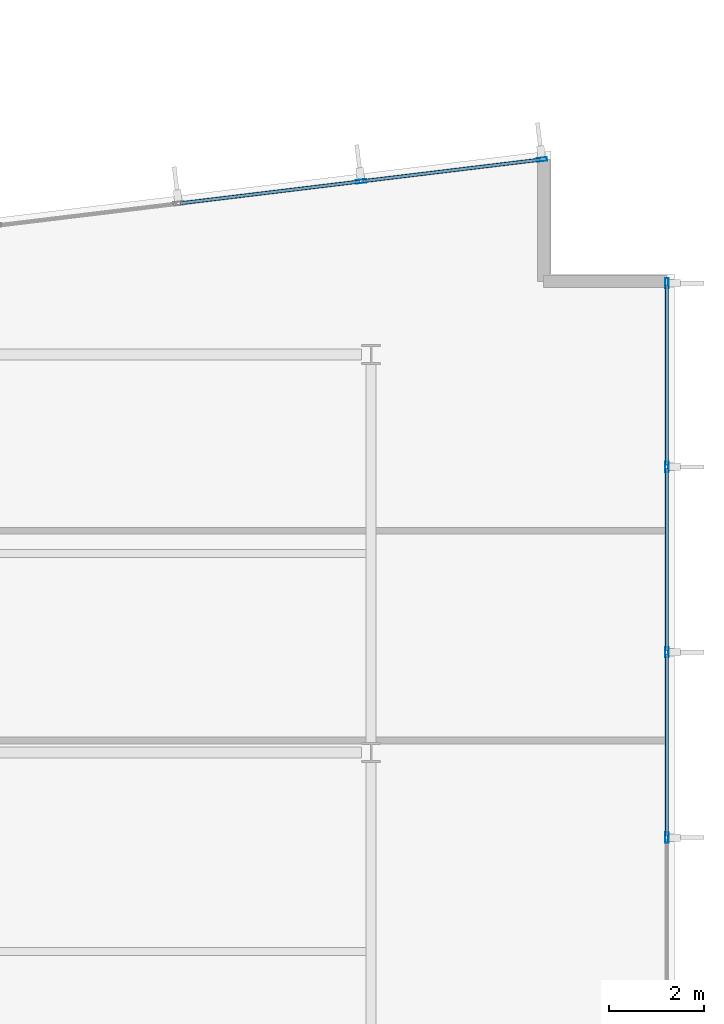
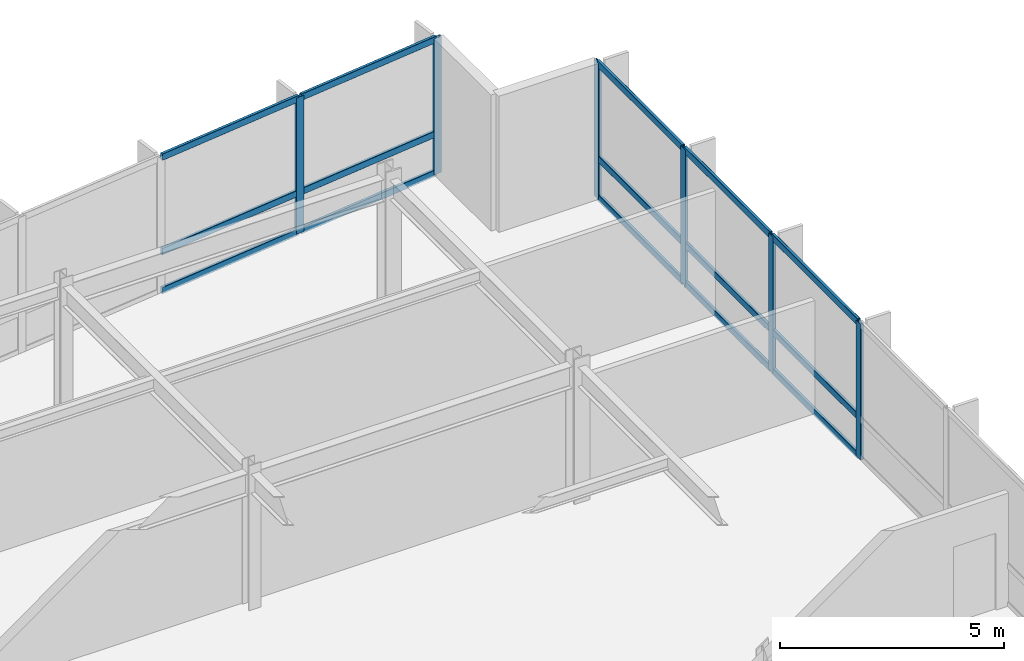
# One storey, part 8 of 17: 21 members, 2 elements without a shape of their own.
"""IFC4 building model written with IfcOpenShell, lengths in metres."""

from ifc_helpers import new_model, si_unit, direction, frame, origin, origin_2d, place, context, subcontext, project, spatial, hollow_rectangle, extrude, material, layer, layer_set, material_profile, profile_set, type_object, element, aggregate, save


model = new_model("IFC4")

# Units and contexts
model_context = context("Model", 3, precision=1e-05, world=origin(), true_north=direction((0.0, 1.0)))
body_context = subcontext(model_context, "Body", "Model", "MODEL_VIEW")
ifc_project = project(units=[si_unit("LENGTHUNIT", "METRE"), si_unit("AREAUNIT", "SQUARE_METRE"), si_unit("VOLUMEUNIT", "CUBIC_METRE"), si_unit("PLANEANGLEUNIT", "RADIAN"), si_unit("MASSUNIT", "GRAM", prefix="KILO")], contexts=[model_context])

# Site, building, storey
site_placement = place(None, origin())
site = spatial("IfcSite", under=ifc_project, at=site_placement, CompositionType="ELEMENT")
building_placement = place(site_placement, origin())
building = spatial("IfcBuilding", under=site, at=building_placement, Name="Varnakote Quay Hospital", CompositionType="ELEMENT")
storey_placement = place(building_placement, frame((0.0, 0.0, 103.35009765625)))
storey = spatial("IfcBuildingStorey", under=building, at=storey_placement, Name="L25", CompositionType="ELEMENT", Elevation=103.35009765625)

# Curtain wall, members
ifc_material_1 = material(Name="Anodised aluminium 6063-T6 Bronze", Category="aluminium")
ifc_layer = layer(ifc_material_1, 0.205078125)
ifc_layer_set = layer_set([ifc_layer], Name="Anodised aluminium 6063-T6 Bronze")
curtain_wall_type = type_object("IfcCurtainWallType", Name="CW-SYS-3", PredefinedType="NOTDEFINED", material=ifc_layer_set)
curtain_wall_1_placement = place(storey_placement, origin())
curtain_wall_1 = element("IfcCurtainWall", 1, at=curtain_wall_1_placement, inside=storey, type_object=curtain_wall_type, Name="L25 Unitised Bronze Curtain Wall 1", PredefinedType="NOTDEFINED")
ifc_material_2 = material(Name="Anodised aluminium 6063-T6 Bronze", Category="aluminium")
ifc_material_profile_1 = material_profile(ifc_material_2, hollow_rectangle(XDim=0.074951171875, YDim=0.219970703125, WallThickness=0.00439453125, InnerFilletRadius=0.00439453125, OuterFilletRadius=0.009033203125, at=origin_2d()), Name="CW-MULL-220x75")
ifc_profile_set_1 = profile_set([ifc_material_profile_1], Name="Anodised aluminium 6063-T6 Bronze")
member_type_1 = type_object("IfcMemberType", Name="CW-MULL-220x75", PredefinedType="MULLION", material=ifc_profile_set_1)
member_1_placement = place(storey_placement, frame((56.639892578125, 18.60009765625, 0.0), z_axis=(0.0, 0.0, 1.0), x_axis=(-1.0, 0.0, 0.0)))
member_1 = element("IfcMember", 2, at=member_1_placement, type_object=member_type_1, Name="-3-L25-1 mullion 4", PredefinedType="MULLION", context=body_context, shape_type="SweptSolid", body=[
    extrude(hollow_rectangle(XDim=0.074951171875, YDim=0.219970703125, WallThickness=0.00439453125, InnerFilletRadius=0.00439453125, OuterFilletRadius=0.009033203125, at=origin_2d()), origin(), (0.0, 0.0, 1.0), 3.7099609375),
])
member_2_placement = place(storey_placement, frame((56.639892578125, 22.513427734375, 0.0), z_axis=(0.0, 0.0, 1.0), x_axis=(-1.0, 0.0, 0.0)))
member_2 = element("IfcMember", 3, at=member_2_placement, type_object=member_type_1, Name="-3-L25-1 mullion 5", PredefinedType="MULLION", context=body_context, shape_type="SweptSolid", body=[
    extrude(hollow_rectangle(XDim=0.074951171875, YDim=0.219970703125, WallThickness=0.00439453125, InnerFilletRadius=0.00439453125, OuterFilletRadius=0.009033203125, at=origin_2d()), origin(), (0.0, 0.0, 1.0), 3.7099609375),
])
member_3_placement = place(storey_placement, frame((56.639892578125, 26.4267578125, 0.0), z_axis=(0.0, 0.0, 1.0), x_axis=(-1.0, 0.0, 0.0)))
member_3 = element("IfcMember", 4, at=member_3_placement, type_object=member_type_1, Name="-3-L25-1 mullion 6", PredefinedType="MULLION", context=body_context, shape_type="SweptSolid", body=[
    extrude(hollow_rectangle(XDim=0.074951171875, YDim=0.219970703125, WallThickness=0.00439453125, InnerFilletRadius=0.00439453125, OuterFilletRadius=0.009033203125, at=origin_2d()), origin(), (0.0, 0.0, 1.0), 3.7099609375),
])
member_4_placement = place(storey_placement, frame((56.639892578125, 30.302490234375, 0.0), z_axis=(0.0, 0.0, 1.0), x_axis=(-1.0, 0.0, 0.0)))
member_4 = element("IfcMember", 5, at=member_4_placement, type_object=member_type_1, Name="-3-L25-1 mullion 7", PredefinedType="MULLION", context=body_context, shape_type="SweptSolid", body=[
    extrude(hollow_rectangle(XDim=0.074951171875, YDim=0.219970703125, WallThickness=0.00439453125, InnerFilletRadius=0.00439453125, OuterFilletRadius=0.009033203125, at=origin_2d()), origin(), (0.0, 0.0, 1.0), 3.7099609375),
])

curtain_wall_2_placement = place(storey_placement, origin())
curtain_wall_2 = element("IfcCurtainWall", 6, at=curtain_wall_2_placement, inside=storey, type_object=curtain_wall_type, Name="L25 Unitised Bronze Curtain Wall 2", PredefinedType="NOTDEFINED")
member_5_placement = place(storey_placement, frame((54.002685546875, 32.914794921875, 0.0), z_axis=(0.0, 0.0, 1.0), x_axis=(0.12032713492, -0.992734295067, 0.0)))
member_5 = element("IfcMember", 7, at=member_5_placement, type_object=member_type_1, Name="-3-L25-2 mullion 1", PredefinedType="MULLION", context=body_context, shape_type="SweptSolid", body=[
    extrude(hollow_rectangle(XDim=0.074951171875, YDim=0.219970703125, WallThickness=0.00439453125, InnerFilletRadius=0.00439453125, OuterFilletRadius=0.009033203125, at=origin_2d()), origin(), (0.0, 0.0, 1.0), 3.7099609375),
])
member_6_placement = place(storey_placement, frame((50.1875, 32.452392578125, 0.0), z_axis=(0.0, 0.0, 1.0), x_axis=(0.12032713492, -0.992734295067, 0.0)))
member_6 = element("IfcMember", 8, at=member_6_placement, type_object=member_type_1, Name="-3-L25-2 mullion 2", PredefinedType="MULLION", context=body_context, shape_type="SweptSolid", body=[
    extrude(hollow_rectangle(XDim=0.074951171875, YDim=0.219970703125, WallThickness=0.00439453125, InnerFilletRadius=0.00439453125, OuterFilletRadius=0.009033203125, at=origin_2d()), origin(), (0.0, 0.0, 1.0), 3.7099609375),
])

# Member
ifc_material_3 = material(Name="Anodised aluminium 6063-T6 Bronze", Category="aluminium")
ifc_material_profile_2 = material_profile(ifc_material_3, hollow_rectangle(XDim=0.074951171875, YDim=0.179931640625, WallThickness=0.004150390625, InnerFilletRadius=0.004150390625, OuterFilletRadius=0.00830078125, at=origin_2d()), Name="CW-TRAN-180x75")
ifc_profile_set_2 = profile_set([ifc_material_profile_2], Name="Anodised aluminium 6063-T6 Bronze")
member_type_2 = type_object("IfcMemberType", Name="CW-TRAN-180x75", PredefinedType="USERDEFINED", material=ifc_profile_set_2)
member_7_placement = place(storey_placement, frame((56.639892578125, 18.637451171875, 0.037353515625), z_axis=(0.0, 1.0, 0.0), x_axis=(-1.0, 0.0, 0.0)))
member_7 = element("IfcMember", 9, at=member_7_placement, type_object=member_type_2, Name="-3-L25-1 transom 4.1", ObjectType="TRANSOM", PredefinedType="USERDEFINED", context=body_context, shape_type="SweptSolid", body=[
    extrude(hollow_rectangle(XDim=0.074951171875, YDim=0.179931640625, WallThickness=0.004150390625, InnerFilletRadius=0.004150390625, OuterFilletRadius=0.00830078125, at=origin_2d()), origin(), (0.0, 0.0, 1.0), 3.83837890625),
])

member_8_placement = place(storey_placement, frame((56.639892578125, 18.637451171875, 1.099853515625), z_axis=(0.0, 1.0, 0.0), x_axis=(-1.0, 0.0, 0.0)))
member_8 = element("IfcMember", 10, at=member_8_placement, type_object=member_type_2, Name="-3-L25-1 transom 4.2", ObjectType="TRANSOM", PredefinedType="USERDEFINED", context=body_context, shape_type="SweptSolid", body=[
    extrude(hollow_rectangle(XDim=0.074951171875, YDim=0.179931640625, WallThickness=0.004150390625, InnerFilletRadius=0.004150390625, OuterFilletRadius=0.00830078125, at=origin_2d()), origin(), (0.0, 0.0, 1.0), 3.83837890625),
])

member_9_placement = place(storey_placement, frame((56.639892578125, 18.637451171875, 3.67236328125), z_axis=(0.0, 1.0, 0.0), x_axis=(-1.0, 0.0, 0.0)))
member_9 = element("IfcMember", 11, at=member_9_placement, type_object=member_type_2, Name="-3-L25-1 transom 4.3", ObjectType="TRANSOM", PredefinedType="USERDEFINED", context=body_context, shape_type="SweptSolid", body=[
    extrude(hollow_rectangle(XDim=0.074951171875, YDim=0.179931640625, WallThickness=0.004150390625, InnerFilletRadius=0.004150390625, OuterFilletRadius=0.00830078125, at=origin_2d()), origin(), (0.0, 0.0, 1.0), 3.83837890625),
])

member_10_placement = place(storey_placement, frame((56.639892578125, 22.55078125, 0.037353515625), z_axis=(0.0, 1.0, 0.0), x_axis=(-1.0, 0.0, 0.0)))
member_10 = element("IfcMember", 12, at=member_10_placement, type_object=member_type_2, Name="-3-L25-1 transom 5.1", ObjectType="TRANSOM", PredefinedType="USERDEFINED", context=body_context, shape_type="SweptSolid", body=[
    extrude(hollow_rectangle(XDim=0.074951171875, YDim=0.179931640625, WallThickness=0.004150390625, InnerFilletRadius=0.004150390625, OuterFilletRadius=0.00830078125, at=origin_2d()), origin(), (0.0, 0.0, 1.0), 3.83837890625),
])

member_11_placement = place(storey_placement, frame((56.639892578125, 22.55078125, 1.099853515625), z_axis=(0.0, 1.0, 0.0), x_axis=(-1.0, 0.0, 0.0)))
member_11 = element("IfcMember", 13, at=member_11_placement, type_object=member_type_2, Name="-3-L25-1 transom 5.2", ObjectType="TRANSOM", PredefinedType="USERDEFINED", context=body_context, shape_type="SweptSolid", body=[
    extrude(hollow_rectangle(XDim=0.074951171875, YDim=0.179931640625, WallThickness=0.004150390625, InnerFilletRadius=0.004150390625, OuterFilletRadius=0.00830078125, at=origin_2d()), origin(), (0.0, 0.0, 1.0), 3.83837890625),
])

member_12_placement = place(storey_placement, frame((56.639892578125, 22.55078125, 3.67236328125), z_axis=(0.0, 1.0, 0.0), x_axis=(-1.0, 0.0, 0.0)))
member_12 = element("IfcMember", 14, at=member_12_placement, type_object=member_type_2, Name="-3-L25-1 transom 5.3", ObjectType="TRANSOM", PredefinedType="USERDEFINED", context=body_context, shape_type="SweptSolid", body=[
    extrude(hollow_rectangle(XDim=0.074951171875, YDim=0.179931640625, WallThickness=0.004150390625, InnerFilletRadius=0.004150390625, OuterFilletRadius=0.00830078125, at=origin_2d()), origin(), (0.0, 0.0, 1.0), 3.83837890625),
])

member_13_placement = place(storey_placement, frame((56.639892578125, 26.464111328125, 0.037353515625), z_axis=(0.0, 1.0, 0.0), x_axis=(-1.0, 0.0, 0.0)))
member_13 = element("IfcMember", 15, at=member_13_placement, type_object=member_type_2, Name="-3-L25-1 transom 6.1", ObjectType="TRANSOM", PredefinedType="USERDEFINED", context=body_context, shape_type="SweptSolid", body=[
    extrude(hollow_rectangle(XDim=0.074951171875, YDim=0.179931640625, WallThickness=0.004150390625, InnerFilletRadius=0.004150390625, OuterFilletRadius=0.00830078125, at=origin_2d()), origin(), (0.0, 0.0, 1.0), 3.80078125),
])

member_14_placement = place(storey_placement, frame((56.639892578125, 26.464111328125, 1.099853515625), z_axis=(0.0, 1.0, 0.0), x_axis=(-1.0, 0.0, 0.0)))
member_14 = element("IfcMember", 16, at=member_14_placement, type_object=member_type_2, Name="-3-L25-1 transom 6.2", ObjectType="TRANSOM", PredefinedType="USERDEFINED", context=body_context, shape_type="SweptSolid", body=[
    extrude(hollow_rectangle(XDim=0.074951171875, YDim=0.179931640625, WallThickness=0.004150390625, InnerFilletRadius=0.004150390625, OuterFilletRadius=0.00830078125, at=origin_2d()), origin(), (0.0, 0.0, 1.0), 3.80078125),
])

member_15_placement = place(storey_placement, frame((56.639892578125, 26.464111328125, 3.67236328125), z_axis=(0.0, 1.0, 0.0), x_axis=(-1.0, 0.0, 0.0)))
member_15 = element("IfcMember", 17, at=member_15_placement, type_object=member_type_2, Name="-3-L25-1 transom 6.3", ObjectType="TRANSOM", PredefinedType="USERDEFINED", context=body_context, shape_type="SweptSolid", body=[
    extrude(hollow_rectangle(XDim=0.074951171875, YDim=0.179931640625, WallThickness=0.004150390625, InnerFilletRadius=0.004150390625, OuterFilletRadius=0.00830078125, at=origin_2d()), origin(), (0.0, 0.0, 1.0), 3.80078125),
])

aggregate(curtain_wall_1, [member_1, member_2, member_3, member_4, member_7, member_8, member_9, member_10, member_11, member_12, member_13, member_14, member_15])

member_16_placement = place(storey_placement, frame((53.965576171875, 32.910400390625, 0.037353515625), z_axis=(-0.992735423717, -0.120317822859, 0.0), x_axis=(0.120317822859, -0.992735423717, 0.0)))
member_16 = element("IfcMember", 18, at=member_16_placement, type_object=member_type_2, Name="-3-L25-2 transom 1.1", ObjectType="TRANSOM", PredefinedType="USERDEFINED", context=body_context, shape_type="SweptSolid", body=[
    extrude(hollow_rectangle(XDim=0.074951171875, YDim=0.179931640625, WallThickness=0.004150390625, InnerFilletRadius=0.004150390625, OuterFilletRadius=0.00830078125, at=origin_2d()), origin(), (0.0, 0.0, 1.0), 3.76806640625),
])

member_17_placement = place(storey_placement, frame((53.965576171875, 32.910400390625, 1.099853515625), z_axis=(-0.992735423717, -0.120317822859, 0.0), x_axis=(0.120317822859, -0.992735423717, 0.0)))
member_17 = element("IfcMember", 19, at=member_17_placement, type_object=member_type_2, Name="-3-L25-2 transom 1.2", ObjectType="TRANSOM", PredefinedType="USERDEFINED", context=body_context, shape_type="SweptSolid", body=[
    extrude(hollow_rectangle(XDim=0.074951171875, YDim=0.179931640625, WallThickness=0.004150390625, InnerFilletRadius=0.004150390625, OuterFilletRadius=0.00830078125, at=origin_2d()), origin(), (0.0, 0.0, 1.0), 3.76806640625),
])

member_18_placement = place(storey_placement, frame((53.965576171875, 32.910400390625, 3.67236328125), z_axis=(-0.992735423717, -0.120317822859, 0.0), x_axis=(0.120317822859, -0.992735423717, 0.0)))
member_18 = element("IfcMember", 20, at=member_18_placement, type_object=member_type_2, Name="-3-L25-2 transom 1.3", ObjectType="TRANSOM", PredefinedType="USERDEFINED", context=body_context, shape_type="SweptSolid", body=[
    extrude(hollow_rectangle(XDim=0.074951171875, YDim=0.179931640625, WallThickness=0.004150390625, InnerFilletRadius=0.004150390625, OuterFilletRadius=0.00830078125, at=origin_2d()), origin(), (0.0, 0.0, 1.0), 3.76806640625),
])

member_19_placement = place(storey_placement, frame((50.150390625, 32.447998046875, 0.037353515625), z_axis=(-0.992731924158, -0.120346694005, 0.0), x_axis=(0.120346694005, -0.992731924158, 0.0)))
member_19 = element("IfcMember", 21, at=member_19_placement, type_object=member_type_2, Name="-3-L25-2 transom 2.1", ObjectType="TRANSOM", PredefinedType="USERDEFINED", context=body_context, shape_type="SweptSolid", body=[
    extrude(hollow_rectangle(XDim=0.074951171875, YDim=0.179931640625, WallThickness=0.004150390625, InnerFilletRadius=0.004150390625, OuterFilletRadius=0.00830078125, at=origin_2d()), origin(), (0.0, 0.0, 1.0), 3.8056640625),
])

member_20_placement = place(storey_placement, frame((50.150390625, 32.447998046875, 1.099853515625), z_axis=(-0.992731924158, -0.120346694005, 0.0), x_axis=(0.120346694005, -0.992731924158, 0.0)))
member_20 = element("IfcMember", 22, at=member_20_placement, type_object=member_type_2, Name="-3-L25-2 transom 2.2", ObjectType="TRANSOM", PredefinedType="USERDEFINED", context=body_context, shape_type="SweptSolid", body=[
    extrude(hollow_rectangle(XDim=0.074951171875, YDim=0.179931640625, WallThickness=0.004150390625, InnerFilletRadius=0.004150390625, OuterFilletRadius=0.00830078125, at=origin_2d()), origin(), (0.0, 0.0, 1.0), 3.8056640625),
])

member_21_placement = place(storey_placement, frame((50.150390625, 32.447998046875, 3.67236328125), z_axis=(-0.992731924158, -0.120346694005, 0.0), x_axis=(0.120346694005, -0.992731924158, 0.0)))
member_21 = element("IfcMember", 23, at=member_21_placement, type_object=member_type_2, Name="-3-L25-2 transom 2.3", ObjectType="TRANSOM", PredefinedType="USERDEFINED", context=body_context, shape_type="SweptSolid", body=[
    extrude(hollow_rectangle(XDim=0.074951171875, YDim=0.179931640625, WallThickness=0.004150390625, InnerFilletRadius=0.004150390625, OuterFilletRadius=0.00830078125, at=origin_2d()), origin(), (0.0, 0.0, 1.0), 3.8056640625),
])

aggregate(curtain_wall_2, [member_5, member_6, member_16, member_17, member_18, member_19, member_20, member_21])

save(model, "model.ifc")
